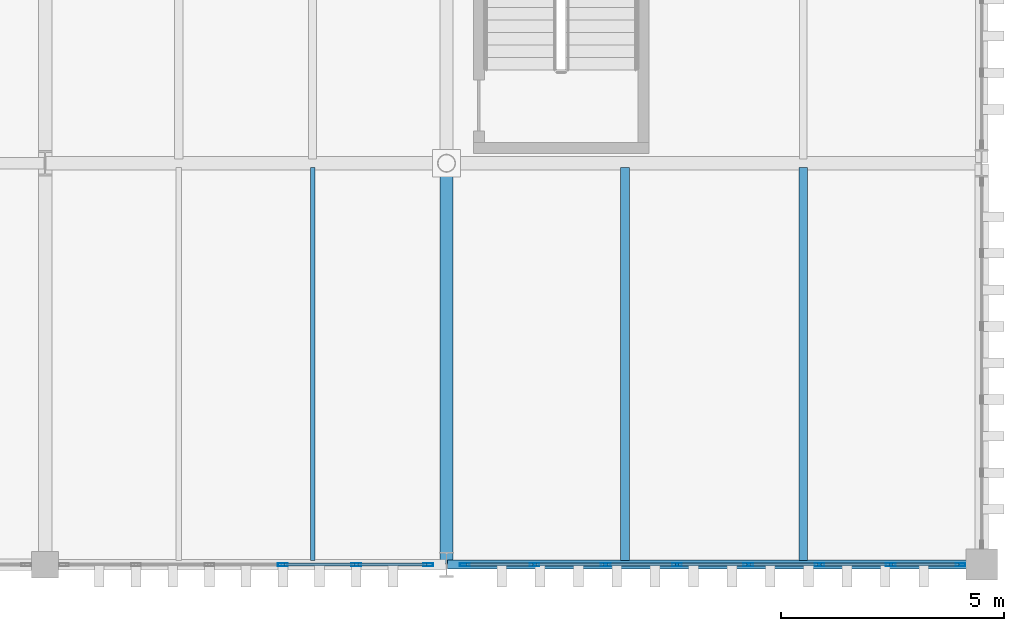
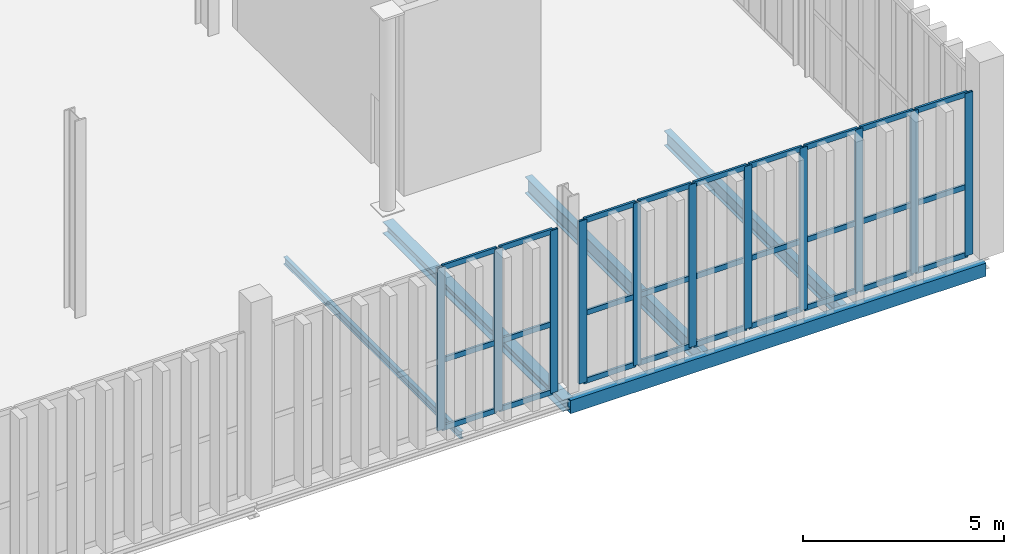
# One storey, part 91 of 211: 38 members, 5 beams, 2 elements without a shape of their own.
"""IFC4 building model written with IfcOpenShell, lengths in metres."""

from ifc_helpers import new_model, si_unit, direction, frame, origin, origin_2d, place, context, subcontext, project, spatial, hollow_rectangle, i_section, extrude, material, layer, layer_set, material_profile, profile_set, type_object, element, aggregate, save


model = new_model("IFC4")

# Units and contexts
model_context = context("Model", 3, precision=1e-05, world=origin(), true_north=direction((0.0, 1.0)))
body_context = subcontext(model_context, "Body", "Model", "MODEL_VIEW")
ifc_project = project(units=[si_unit("LENGTHUNIT", "METRE"), si_unit("AREAUNIT", "SQUARE_METRE"), si_unit("VOLUMEUNIT", "CUBIC_METRE"), si_unit("PLANEANGLEUNIT", "RADIAN"), si_unit("MASSUNIT", "GRAM", prefix="KILO")], contexts=[model_context])

# Site, building, storey
site_placement = place(None, origin())
site = spatial("IfcSite", under=ifc_project, at=site_placement, CompositionType="ELEMENT")
building_placement = place(site_placement, origin())
building = spatial("IfcBuilding", under=site, at=building_placement, Name="Barlavento Convention Centre", CompositionType="ELEMENT")
storey_placement = place(building_placement, frame((0.0, 0.0, 6.0)))
storey = spatial("IfcBuildingStorey", under=building, at=storey_placement, Name="L01", CompositionType="ELEMENT", Elevation=6.0)

# Curtain wall, members
ifc_material_1 = material(Name="Powder-coated aluminium and Low-E glass", Category="aluminium")
ifc_layer = layer(ifc_material_1, 0.18994140625)
ifc_layer_set = layer_set([ifc_layer], Name="ARC-CW-BALL-L01")
curtain_wall_type = type_object("IfcCurtainWallType", Name="ARC-CW-BALL-L01", PredefinedType="NOTDEFINED", material=ifc_layer_set)
curtain_wall_1_placement = place(storey_placement, origin())
curtain_wall_1 = element("IfcCurtainWall", 1, at=curtain_wall_1_placement, inside=storey, type_object=curtain_wall_type, Name="L01 unitised curtain wall CW06", PredefinedType="NOTDEFINED")
ifc_material_2 = material(Name="Powder-coated aluminium", Category="aluminium")
ifc_material_profile_1 = material_profile(ifc_material_2, hollow_rectangle(XDim=0.070068359375, YDim=0.219970703125, WallThickness=0.006103515625, at=origin_2d()), Name="AL-MULL 70x220x6")
ifc_profile_set_1 = profile_set([ifc_material_profile_1], Name="Powder-coated aluminium")
member_type_1 = type_object("IfcMemberType", Name="ARC-CWM-70X220", PredefinedType="MULLION", material=ifc_profile_set_1)
member_1_placement = place(storey_placement, frame((176.330322265625, 0.0, 0.0), z_axis=(0.0, 0.0, 1.0), x_axis=(0.0, 1.0, 0.0)))
member_1 = element("IfcMember", 2, at=member_1_placement, type_object=member_type_1, Name="CW06 mullion 4", PredefinedType="MULLION", context=body_context, shape_type="SweptSolid", body=[
    extrude(hollow_rectangle(XDim=0.070068359375, YDim=0.219970703125, WallThickness=0.006103515625, at=origin_2d()), origin(), (0.0, 0.0, 1.0), 4.949951171875),
])
member_2_placement = place(storey_placement, frame((177.977294921875, 0.0, 0.0), z_axis=(0.0, 0.0, 1.0), x_axis=(0.0, 1.0, 0.0)))
member_2 = element("IfcMember", 3, at=member_2_placement, type_object=member_type_1, Name="CW06 mullion 5", PredefinedType="MULLION", context=body_context, shape_type="SweptSolid", body=[
    extrude(hollow_rectangle(XDim=0.070068359375, YDim=0.219970703125, WallThickness=0.006103515625, at=origin_2d()), origin(), (0.0, 0.0, 1.0), 4.949951171875),
])
member_3_placement = place(storey_placement, frame((179.589111328125, 0.0, 0.0), z_axis=(0.0, 0.0, 1.0), x_axis=(0.0, 1.0, 0.0)))
member_3 = element("IfcMember", 4, at=member_3_placement, type_object=member_type_1, Name="CW06 mullion 6", PredefinedType="MULLION", context=body_context, shape_type="SweptSolid", body=[
    extrude(hollow_rectangle(XDim=0.070068359375, YDim=0.219970703125, WallThickness=0.006103515625, at=origin_2d()), origin(), (0.0, 0.0, 1.0), 4.949951171875),
])

curtain_wall_2_placement = place(storey_placement, origin())
curtain_wall_2 = element("IfcCurtainWall", 5, at=curtain_wall_2_placement, inside=storey, type_object=curtain_wall_type, Name="L01 unitised curtain wall CW06", PredefinedType="NOTDEFINED")
member_4_placement = place(storey_placement, frame((180.410888671875, 0.0, 0.0), z_axis=(0.0, 0.0, 1.0), x_axis=(0.0, 1.0, 0.0)))
member_4 = element("IfcMember", 6, at=member_4_placement, type_object=member_type_1, Name="CW06 mullion 1", PredefinedType="MULLION", context=body_context, shape_type="SweptSolid", body=[
    extrude(hollow_rectangle(XDim=0.070068359375, YDim=0.219970703125, WallThickness=0.006103515625, at=origin_2d()), origin(), (0.0, 0.0, 1.0), 4.949951171875),
])
member_5_placement = place(storey_placement, frame((181.9736328125, 0.0, 0.0), z_axis=(0.0, 0.0, 1.0), x_axis=(0.0, 1.0, 0.0)))
member_5 = element("IfcMember", 7, at=member_5_placement, type_object=member_type_1, Name="CW06 mullion 2", PredefinedType="MULLION", context=body_context, shape_type="SweptSolid", body=[
    extrude(hollow_rectangle(XDim=0.070068359375, YDim=0.219970703125, WallThickness=0.006103515625, at=origin_2d()), origin(), (0.0, 0.0, 1.0), 4.949951171875),
])
member_6_placement = place(storey_placement, frame((183.571533203125, 0.0, 0.0), z_axis=(0.0, 0.0, 1.0), x_axis=(0.0, 1.0, 0.0)))
member_6 = element("IfcMember", 8, at=member_6_placement, type_object=member_type_1, Name="CW06 mullion 3", PredefinedType="MULLION", context=body_context, shape_type="SweptSolid", body=[
    extrude(hollow_rectangle(XDim=0.070068359375, YDim=0.219970703125, WallThickness=0.006103515625, at=origin_2d()), origin(), (0.0, 0.0, 1.0), 4.949951171875),
])
member_7_placement = place(storey_placement, frame((185.169189453125, 0.0, 0.0), z_axis=(0.0, 0.0, 1.0), x_axis=(0.0, 1.0, 0.0)))
member_7 = element("IfcMember", 9, at=member_7_placement, type_object=member_type_1, Name="CW06 mullion 4", PredefinedType="MULLION", context=body_context, shape_type="SweptSolid", body=[
    extrude(hollow_rectangle(XDim=0.070068359375, YDim=0.219970703125, WallThickness=0.006103515625, at=origin_2d()), origin(), (0.0, 0.0, 1.0), 4.949951171875),
])
member_8_placement = place(storey_placement, frame((186.766845703125, 0.0, 0.0), z_axis=(0.0, 0.0, 1.0), x_axis=(0.0, 1.0, 0.0)))
member_8 = element("IfcMember", 10, at=member_8_placement, type_object=member_type_1, Name="CW06 mullion 5", PredefinedType="MULLION", context=body_context, shape_type="SweptSolid", body=[
    extrude(hollow_rectangle(XDim=0.070068359375, YDim=0.219970703125, WallThickness=0.006103515625, at=origin_2d()), origin(), (0.0, 0.0, 1.0), 4.949951171875),
])
member_9_placement = place(storey_placement, frame((188.364501953125, 0.0, 0.0), z_axis=(0.0, 0.0, 1.0), x_axis=(0.0, 1.0, 0.0)))
member_9 = element("IfcMember", 11, at=member_9_placement, type_object=member_type_1, Name="CW06 mullion 6", PredefinedType="MULLION", context=body_context, shape_type="SweptSolid", body=[
    extrude(hollow_rectangle(XDim=0.070068359375, YDim=0.219970703125, WallThickness=0.006103515625, at=origin_2d()), origin(), (0.0, 0.0, 1.0), 4.949951171875),
])
member_10_placement = place(storey_placement, frame((189.96240234375, 0.0, 0.0), z_axis=(0.0, 0.0, 1.0), x_axis=(0.0, 1.0, 0.0)))
member_10 = element("IfcMember", 12, at=member_10_placement, type_object=member_type_1, Name="CW06 mullion 7", PredefinedType="MULLION", context=body_context, shape_type="SweptSolid", body=[
    extrude(hollow_rectangle(XDim=0.070068359375, YDim=0.219970703125, WallThickness=0.006103515625, at=origin_2d()), origin(), (0.0, 0.0, 1.0), 4.949951171875),
])
member_11_placement = place(storey_placement, frame((191.52490234375, 0.0, 0.0), z_axis=(0.0, 0.0, 1.0), x_axis=(0.0, 1.0, 0.0)))
member_11 = element("IfcMember", 13, at=member_11_placement, type_object=member_type_1, Name="CW06 mullion 8", PredefinedType="MULLION", context=body_context, shape_type="SweptSolid", body=[
    extrude(hollow_rectangle(XDim=0.070068359375, YDim=0.219970703125, WallThickness=0.006103515625, at=origin_2d()), origin(), (0.0, 0.0, 1.0), 4.949951171875),
])

# Member
ifc_material_profile_2 = material_profile(ifc_material_2, hollow_rectangle(XDim=0.06494140625, YDim=0.159912109375, WallThickness=0.0048828125, at=origin_2d()), Name="AL-TRAN 65x160x5")
ifc_profile_set_2 = profile_set([ifc_material_profile_2], Name="Powder-coated aluminium")
member_type_2 = type_object("IfcMemberType", Name="ARC-CWT-65X160", PredefinedType="USERDEFINED", material=ifc_profile_set_2)
member_12_placement = place(storey_placement, frame((176.365478515625, 0.0, 0.032470703125), z_axis=(1.0, 0.0, 0.0), x_axis=(0.0, 1.0, 0.0)))
member_12 = element("IfcMember", 14, at=member_12_placement, type_object=member_type_2, Name="CW06 transom 4.1", ObjectType="TRANSOM", PredefinedType="USERDEFINED", context=body_context, shape_type="SweptSolid", body=[
    extrude(hollow_rectangle(XDim=0.06494140625, YDim=0.159912109375, WallThickness=0.0048828125, at=origin_2d()), origin(), (0.0, 0.0, 1.0), 1.57666015625),
])

member_13_placement = place(storey_placement, frame((176.365478515625, 0.0, 2.10009765625), z_axis=(1.0, 0.0, 0.0), x_axis=(0.0, 1.0, 0.0)))
member_13 = element("IfcMember", 15, at=member_13_placement, type_object=member_type_2, Name="CW06 transom 4.2", ObjectType="TRANSOM", PredefinedType="USERDEFINED", context=body_context, shape_type="SweptSolid", body=[
    extrude(hollow_rectangle(XDim=0.06494140625, YDim=0.159912109375, WallThickness=0.0048828125, at=origin_2d()), origin(), (0.0, 0.0, 1.0), 1.57666015625),
])

member_14_placement = place(storey_placement, frame((176.365478515625, 0.0, 4.91748046875), z_axis=(1.0, 0.0, 0.0), x_axis=(0.0, 1.0, 0.0)))
member_14 = element("IfcMember", 16, at=member_14_placement, type_object=member_type_2, Name="CW06 transom 4.3", ObjectType="TRANSOM", PredefinedType="USERDEFINED", context=body_context, shape_type="SweptSolid", body=[
    extrude(hollow_rectangle(XDim=0.06494140625, YDim=0.159912109375, WallThickness=0.0048828125, at=origin_2d()), origin(), (0.0, 0.0, 1.0), 1.57666015625),
])

member_15_placement = place(storey_placement, frame((178.01220703125, 0.0, 0.032470703125), z_axis=(1.0, 0.0, 0.0), x_axis=(0.0, 1.0, 0.0)))
member_15 = element("IfcMember", 17, at=member_15_placement, type_object=member_type_2, Name="CW06 transom 5.1", ObjectType="TRANSOM", PredefinedType="USERDEFINED", context=body_context, shape_type="SweptSolid", body=[
    extrude(hollow_rectangle(XDim=0.06494140625, YDim=0.159912109375, WallThickness=0.0048828125, at=origin_2d()), origin(), (0.0, 0.0, 1.0), 1.541748046875),
])

member_16_placement = place(storey_placement, frame((178.01220703125, 0.0, 2.10009765625), z_axis=(1.0, 0.0, 0.0), x_axis=(0.0, 1.0, 0.0)))
member_16 = element("IfcMember", 18, at=member_16_placement, type_object=member_type_2, Name="CW06 transom 5.2", ObjectType="TRANSOM", PredefinedType="USERDEFINED", context=body_context, shape_type="SweptSolid", body=[
    extrude(hollow_rectangle(XDim=0.06494140625, YDim=0.159912109375, WallThickness=0.0048828125, at=origin_2d()), origin(), (0.0, 0.0, 1.0), 1.541748046875),
])

member_17_placement = place(storey_placement, frame((178.01220703125, 0.0, 4.91748046875), z_axis=(1.0, 0.0, 0.0), x_axis=(0.0, 1.0, 0.0)))
member_17 = element("IfcMember", 19, at=member_17_placement, type_object=member_type_2, Name="CW06 transom 5.3", ObjectType="TRANSOM", PredefinedType="USERDEFINED", context=body_context, shape_type="SweptSolid", body=[
    extrude(hollow_rectangle(XDim=0.06494140625, YDim=0.159912109375, WallThickness=0.0048828125, at=origin_2d()), origin(), (0.0, 0.0, 1.0), 1.541748046875),
])

aggregate(curtain_wall_1, [member_1, member_2, member_3, member_12, member_13, member_14, member_15, member_16, member_17])

member_18_placement = place(storey_placement, frame((180.446044921875, 0.0, 0.032470703125), z_axis=(1.0, 0.0, 0.0), x_axis=(0.0, 1.0, 0.0)))
member_18 = element("IfcMember", 20, at=member_18_placement, type_object=member_type_2, Name="CW06 transom 1.1", ObjectType="TRANSOM", PredefinedType="USERDEFINED", context=body_context, shape_type="SweptSolid", body=[
    extrude(hollow_rectangle(XDim=0.06494140625, YDim=0.159912109375, WallThickness=0.0048828125, at=origin_2d()), origin(), (0.0, 0.0, 1.0), 1.49267578125),
])

member_19_placement = place(storey_placement, frame((180.446044921875, 0.0, 2.10009765625), z_axis=(1.0, 0.0, 0.0), x_axis=(0.0, 1.0, 0.0)))
member_19 = element("IfcMember", 21, at=member_19_placement, type_object=member_type_2, Name="CW06 transom 1.2", ObjectType="TRANSOM", PredefinedType="USERDEFINED", context=body_context, shape_type="SweptSolid", body=[
    extrude(hollow_rectangle(XDim=0.06494140625, YDim=0.159912109375, WallThickness=0.0048828125, at=origin_2d()), origin(), (0.0, 0.0, 1.0), 1.49267578125),
])

member_20_placement = place(storey_placement, frame((180.446044921875, 0.0, 4.91748046875), z_axis=(1.0, 0.0, 0.0), x_axis=(0.0, 1.0, 0.0)))
member_20 = element("IfcMember", 22, at=member_20_placement, type_object=member_type_2, Name="CW06 transom 1.3", ObjectType="TRANSOM", PredefinedType="USERDEFINED", context=body_context, shape_type="SweptSolid", body=[
    extrude(hollow_rectangle(XDim=0.06494140625, YDim=0.159912109375, WallThickness=0.0048828125, at=origin_2d()), origin(), (0.0, 0.0, 1.0), 1.49267578125),
])

member_21_placement = place(storey_placement, frame((182.0087890625, 0.0, 0.032470703125), z_axis=(1.0, 0.0, 0.0), x_axis=(0.0, 1.0, 0.0)))
member_21 = element("IfcMember", 23, at=member_21_placement, type_object=member_type_2, Name="CW06 transom 2.1", ObjectType="TRANSOM", PredefinedType="USERDEFINED", context=body_context, shape_type="SweptSolid", body=[
    extrude(hollow_rectangle(XDim=0.06494140625, YDim=0.159912109375, WallThickness=0.0048828125, at=origin_2d()), origin(), (0.0, 0.0, 1.0), 1.527587890625),
])

member_22_placement = place(storey_placement, frame((182.0087890625, 0.0, 2.10009765625), z_axis=(1.0, 0.0, 0.0), x_axis=(0.0, 1.0, 0.0)))
member_22 = element("IfcMember", 24, at=member_22_placement, type_object=member_type_2, Name="CW06 transom 2.2", ObjectType="TRANSOM", PredefinedType="USERDEFINED", context=body_context, shape_type="SweptSolid", body=[
    extrude(hollow_rectangle(XDim=0.06494140625, YDim=0.159912109375, WallThickness=0.0048828125, at=origin_2d()), origin(), (0.0, 0.0, 1.0), 1.527587890625),
])

member_23_placement = place(storey_placement, frame((182.0087890625, 0.0, 4.91748046875), z_axis=(1.0, 0.0, 0.0), x_axis=(0.0, 1.0, 0.0)))
member_23 = element("IfcMember", 25, at=member_23_placement, type_object=member_type_2, Name="CW06 transom 2.3", ObjectType="TRANSOM", PredefinedType="USERDEFINED", context=body_context, shape_type="SweptSolid", body=[
    extrude(hollow_rectangle(XDim=0.06494140625, YDim=0.159912109375, WallThickness=0.0048828125, at=origin_2d()), origin(), (0.0, 0.0, 1.0), 1.527587890625),
])

member_24_placement = place(storey_placement, frame((183.6064453125, 0.0, 0.032470703125), z_axis=(1.0, 0.0, 0.0), x_axis=(0.0, 1.0, 0.0)))
member_24 = element("IfcMember", 26, at=member_24_placement, type_object=member_type_2, Name="CW06 transom 3.1", ObjectType="TRANSOM", PredefinedType="USERDEFINED", context=body_context, shape_type="SweptSolid", body=[
    extrude(hollow_rectangle(XDim=0.06494140625, YDim=0.159912109375, WallThickness=0.0048828125, at=origin_2d()), origin(), (0.0, 0.0, 1.0), 1.527587890625),
])

member_25_placement = place(storey_placement, frame((183.6064453125, 0.0, 2.10009765625), z_axis=(1.0, 0.0, 0.0), x_axis=(0.0, 1.0, 0.0)))
member_25 = element("IfcMember", 27, at=member_25_placement, type_object=member_type_2, Name="CW06 transom 3.2", ObjectType="TRANSOM", PredefinedType="USERDEFINED", context=body_context, shape_type="SweptSolid", body=[
    extrude(hollow_rectangle(XDim=0.06494140625, YDim=0.159912109375, WallThickness=0.0048828125, at=origin_2d()), origin(), (0.0, 0.0, 1.0), 1.527587890625),
])

member_26_placement = place(storey_placement, frame((183.6064453125, 0.0, 4.91748046875), z_axis=(1.0, 0.0, 0.0), x_axis=(0.0, 1.0, 0.0)))
member_26 = element("IfcMember", 28, at=member_26_placement, type_object=member_type_2, Name="CW06 transom 3.3", ObjectType="TRANSOM", PredefinedType="USERDEFINED", context=body_context, shape_type="SweptSolid", body=[
    extrude(hollow_rectangle(XDim=0.06494140625, YDim=0.159912109375, WallThickness=0.0048828125, at=origin_2d()), origin(), (0.0, 0.0, 1.0), 1.527587890625),
])

member_27_placement = place(storey_placement, frame((185.2041015625, 0.0, 0.032470703125), z_axis=(1.0, 0.0, 0.0), x_axis=(0.0, 1.0, 0.0)))
member_27 = element("IfcMember", 29, at=member_27_placement, type_object=member_type_2, Name="CW06 transom 4.1", ObjectType="TRANSOM", PredefinedType="USERDEFINED", context=body_context, shape_type="SweptSolid", body=[
    extrude(hollow_rectangle(XDim=0.06494140625, YDim=0.159912109375, WallThickness=0.0048828125, at=origin_2d()), origin(), (0.0, 0.0, 1.0), 1.52783203125),
])

member_28_placement = place(storey_placement, frame((185.2041015625, 0.0, 2.10009765625), z_axis=(1.0, 0.0, 0.0), x_axis=(0.0, 1.0, 0.0)))
member_28 = element("IfcMember", 30, at=member_28_placement, type_object=member_type_2, Name="CW06 transom 4.2", ObjectType="TRANSOM", PredefinedType="USERDEFINED", context=body_context, shape_type="SweptSolid", body=[
    extrude(hollow_rectangle(XDim=0.06494140625, YDim=0.159912109375, WallThickness=0.0048828125, at=origin_2d()), origin(), (0.0, 0.0, 1.0), 1.52783203125),
])

member_29_placement = place(storey_placement, frame((185.2041015625, 0.0, 4.91748046875), z_axis=(1.0, 0.0, 0.0), x_axis=(0.0, 1.0, 0.0)))
member_29 = element("IfcMember", 31, at=member_29_placement, type_object=member_type_2, Name="CW06 transom 4.3", ObjectType="TRANSOM", PredefinedType="USERDEFINED", context=body_context, shape_type="SweptSolid", body=[
    extrude(hollow_rectangle(XDim=0.06494140625, YDim=0.159912109375, WallThickness=0.0048828125, at=origin_2d()), origin(), (0.0, 0.0, 1.0), 1.52783203125),
])

member_30_placement = place(storey_placement, frame((186.8017578125, 0.0, 0.032470703125), z_axis=(1.0, 0.0, 0.0), x_axis=(0.0, 1.0, 0.0)))
member_30 = element("IfcMember", 32, at=member_30_placement, type_object=member_type_2, Name="CW06 transom 5.1", ObjectType="TRANSOM", PredefinedType="USERDEFINED", context=body_context, shape_type="SweptSolid", body=[
    extrude(hollow_rectangle(XDim=0.06494140625, YDim=0.159912109375, WallThickness=0.0048828125, at=origin_2d()), origin(), (0.0, 0.0, 1.0), 1.52783203125),
])

member_31_placement = place(storey_placement, frame((186.8017578125, 0.0, 2.10009765625), z_axis=(1.0, 0.0, 0.0), x_axis=(0.0, 1.0, 0.0)))
member_31 = element("IfcMember", 33, at=member_31_placement, type_object=member_type_2, Name="CW06 transom 5.2", ObjectType="TRANSOM", PredefinedType="USERDEFINED", context=body_context, shape_type="SweptSolid", body=[
    extrude(hollow_rectangle(XDim=0.06494140625, YDim=0.159912109375, WallThickness=0.0048828125, at=origin_2d()), origin(), (0.0, 0.0, 1.0), 1.52783203125),
])

member_32_placement = place(storey_placement, frame((186.8017578125, 0.0, 4.91748046875), z_axis=(1.0, 0.0, 0.0), x_axis=(0.0, 1.0, 0.0)))
member_32 = element("IfcMember", 34, at=member_32_placement, type_object=member_type_2, Name="CW06 transom 5.3", ObjectType="TRANSOM", PredefinedType="USERDEFINED", context=body_context, shape_type="SweptSolid", body=[
    extrude(hollow_rectangle(XDim=0.06494140625, YDim=0.159912109375, WallThickness=0.0048828125, at=origin_2d()), origin(), (0.0, 0.0, 1.0), 1.52783203125),
])

member_33_placement = place(storey_placement, frame((188.399658203125, 0.0, 0.032470703125), z_axis=(1.0, 0.0, 0.0), x_axis=(0.0, 1.0, 0.0)))
member_33 = element("IfcMember", 35, at=member_33_placement, type_object=member_type_2, Name="CW06 transom 6.1", ObjectType="TRANSOM", PredefinedType="USERDEFINED", context=body_context, shape_type="SweptSolid", body=[
    extrude(hollow_rectangle(XDim=0.06494140625, YDim=0.159912109375, WallThickness=0.0048828125, at=origin_2d()), origin(), (0.0, 0.0, 1.0), 1.527587890625),
])

member_34_placement = place(storey_placement, frame((188.399658203125, 0.0, 2.10009765625), z_axis=(1.0, 0.0, 0.0), x_axis=(0.0, 1.0, 0.0)))
member_34 = element("IfcMember", 36, at=member_34_placement, type_object=member_type_2, Name="CW06 transom 6.2", ObjectType="TRANSOM", PredefinedType="USERDEFINED", context=body_context, shape_type="SweptSolid", body=[
    extrude(hollow_rectangle(XDim=0.06494140625, YDim=0.159912109375, WallThickness=0.0048828125, at=origin_2d()), origin(), (0.0, 0.0, 1.0), 1.527587890625),
])

member_35_placement = place(storey_placement, frame((188.399658203125, 0.0, 4.91748046875), z_axis=(1.0, 0.0, 0.0), x_axis=(0.0, 1.0, 0.0)))
member_35 = element("IfcMember", 37, at=member_35_placement, type_object=member_type_2, Name="CW06 transom 6.3", ObjectType="TRANSOM", PredefinedType="USERDEFINED", context=body_context, shape_type="SweptSolid", body=[
    extrude(hollow_rectangle(XDim=0.06494140625, YDim=0.159912109375, WallThickness=0.0048828125, at=origin_2d()), origin(), (0.0, 0.0, 1.0), 1.527587890625),
])

member_36_placement = place(storey_placement, frame((189.997314453125, 0.0, 0.032470703125), z_axis=(1.0, 0.0, 0.0), x_axis=(0.0, 1.0, 0.0)))
member_36 = element("IfcMember", 38, at=member_36_placement, type_object=member_type_2, Name="CW06 transom 7.1", ObjectType="TRANSOM", PredefinedType="USERDEFINED", context=body_context, shape_type="SweptSolid", body=[
    extrude(hollow_rectangle(XDim=0.06494140625, YDim=0.159912109375, WallThickness=0.0048828125, at=origin_2d()), origin(), (0.0, 0.0, 1.0), 1.49267578125),
])

member_37_placement = place(storey_placement, frame((189.997314453125, 0.0, 2.10009765625), z_axis=(1.0, 0.0, 0.0), x_axis=(0.0, 1.0, 0.0)))
member_37 = element("IfcMember", 39, at=member_37_placement, type_object=member_type_2, Name="CW06 transom 7.2", ObjectType="TRANSOM", PredefinedType="USERDEFINED", context=body_context, shape_type="SweptSolid", body=[
    extrude(hollow_rectangle(XDim=0.06494140625, YDim=0.159912109375, WallThickness=0.0048828125, at=origin_2d()), origin(), (0.0, 0.0, 1.0), 1.49267578125),
])

member_38_placement = place(storey_placement, frame((189.997314453125, 0.0, 4.91748046875), z_axis=(1.0, 0.0, 0.0), x_axis=(0.0, 1.0, 0.0)))
member_38 = element("IfcMember", 40, at=member_38_placement, type_object=member_type_2, Name="CW06 transom 7.3", ObjectType="TRANSOM", PredefinedType="USERDEFINED", context=body_context, shape_type="SweptSolid", body=[
    extrude(hollow_rectangle(XDim=0.06494140625, YDim=0.159912109375, WallThickness=0.0048828125, at=origin_2d()), origin(), (0.0, 0.0, 1.0), 1.49267578125),
])

aggregate(curtain_wall_2, [member_4, member_5, member_6, member_7, member_8, member_9, member_10, member_11, member_18, member_19, member_20, member_21, member_22, member_23, member_24, member_25, member_26, member_27, member_28, member_29, member_30, member_31, member_32, member_33, member_34, member_35, member_36, member_37, member_38])

# Beams
ifc_material_3 = material(Name="Steel S355", Category="steel")
ifc_material_profile_3 = material_profile(ifc_material_3, i_section(OverallWidth=0.110107421875, OverallDepth=0.219970703125, WebThickness=0.005859375, FlangeThickness=0.00927734375, FilletRadius=0.011962890625, at=origin_2d()), Name="IPE 220")
ifc_profile_set_3 = profile_set([ifc_material_profile_3], Name="Steel S355")
beam_type_1 = type_object("IfcBeamType", Name="STR-BM-JST-IPE220", PredefinedType="JOIST", material=ifc_profile_set_3)
beam_1_placement = place(storey_placement, frame((177.0, 0.094970703125, -0.469970703125), z_axis=(0.0, 1.0, 0.0), x_axis=(-1.0, 0.0, 0.0)))
element("IfcBeam", 41, at=beam_1_placement, inside=storey, type_object=beam_type_1, Name="L01 composite floor joist SJ10", PredefinedType="JOIST", context=body_context, shape_type="SweptSolid", body=[
    extrude(i_section(OverallWidth=0.110107421875, OverallDepth=0.219970703125, WebThickness=0.005859375, FlangeThickness=0.00927734375, FilletRadius=0.011962890625, at=origin_2d()), origin(), (0.0, 0.0, 1.0), 8.81005859375),
])
ifc_material_profile_4 = material_profile(ifc_material_3, i_section(OverallWidth=0.18994140625, OverallDepth=0.449951171875, WebThickness=0.009521484375, FlangeThickness=0.0146484375, FilletRadius=0.02099609375, at=origin_2d()), Name="IPE 450")
ifc_profile_set_4 = profile_set([ifc_material_profile_4], Name="Steel S355")
beam_type_2 = type_object("IfcBeamType", Name="STR-BM-JST-IPE450", PredefinedType="JOIST", material=ifc_profile_set_4)
beam_2_placement = place(storey_placement, frame((188.0, 0.094970703125, -0.5849609375), z_axis=(0.0, 1.0, 0.0), x_axis=(-1.0, 0.0, 0.0)))
element("IfcBeam", 42, at=beam_2_placement, inside=storey, type_object=beam_type_2, Name="L01 composite floor joist SJ03", PredefinedType="JOIST", context=body_context, shape_type="SweptSolid", body=[
    extrude(i_section(OverallWidth=0.18994140625, OverallDepth=0.449951171875, WebThickness=0.009521484375, FlangeThickness=0.0146484375, FilletRadius=0.02099609375, at=origin_2d()), origin(), (0.0, 0.0, 1.0), 8.81005859375),
])
ifc_material_profile_5 = material_profile(ifc_material_3, i_section(OverallWidth=0.199951171875, OverallDepth=0.5, WebThickness=0.01025390625, FlangeThickness=0.01611328125, FilletRadius=0.02099609375, at=origin_2d()), Name="IPE 500")
ifc_profile_set_5 = profile_set([ifc_material_profile_5], Name="Steel S355")
beam_type_3 = type_object("IfcBeamType", Name="STR-BM-JST-IPE500", PredefinedType="JOIST", material=ifc_profile_set_5)
beam_3_placement = place(storey_placement, frame((184.0, 0.094970703125, -0.610107421875), z_axis=(0.0, 1.0, 0.0), x_axis=(-1.0, 0.0, 0.0)))
element("IfcBeam", 43, at=beam_3_placement, inside=storey, type_object=beam_type_3, Name="L01 composite floor joist SJ02", PredefinedType="JOIST", context=body_context, shape_type="SweptSolid", body=[
    extrude(i_section(OverallWidth=0.199951171875, OverallDepth=0.5, WebThickness=0.01025390625, FlangeThickness=0.01611328125, FilletRadius=0.02099609375, at=origin_2d()), origin(), (0.0, 0.0, 1.0), 8.81005859375),
])
ifc_material_profile_6 = material_profile(ifc_material_3, i_section(OverallWidth=0.300048828125, OverallDepth=0.35009765625, WebThickness=0.010009765625, FlangeThickness=0.017578125, FilletRadius=0.027099609375, at=origin_2d()), Name="HEA 360")
ifc_profile_set_6 = profile_set([ifc_material_profile_6], Name="Steel S355")
beam_type_4 = type_object("IfcBeamType", Name="STR-BM-PRI-HEA360", PredefinedType="BEAM", material=ifc_profile_set_6)
beam_4_placement = place(storey_placement, frame((180.0, 0.02001953125, -0.534912109375), z_axis=(0.0, 1.0, 0.0), x_axis=(-1.0, 0.0, 0.0)))
element("IfcBeam", 44, at=beam_4_placement, inside=storey, type_object=beam_type_4, Name="L01 grid girder BG23", PredefinedType="BEAM", context=body_context, shape_type="SweptSolid", body=[
    extrude(i_section(OverallWidth=0.300048828125, OverallDepth=0.35009765625, WebThickness=0.010009765625, FlangeThickness=0.017578125, FilletRadius=0.027099609375, at=origin_2d()), origin(), (0.0, 0.0, 1.0), 8.9599609375),
])
ifc_material_profile_7 = material_profile(ifc_material_3, hollow_rectangle(XDim=0.199951171875, YDim=0.39990234375, WallThickness=0.01611328125, at=origin_2d()), Name="RHS 400x200x16.0")
ifc_profile_set_7 = profile_set([ifc_material_profile_7], Name="Steel S355")
beam_type_5 = type_object("IfcBeamType", Name="STR-BM-SPN-RHS400", PredefinedType="SPANDREL", material=ifc_profile_set_7)
beam_5_placement = place(storey_placement, frame((180.02001953125, 0.0, -0.56005859375), z_axis=(1.0, 0.0, 0.0), x_axis=(0.0, 1.0, 0.0)))
element("IfcBeam", 45, at=beam_5_placement, inside=storey, type_object=beam_type_5, Name="L01 primary girder SP06", PredefinedType="SPANDREL", context=body_context, shape_type="SweptSolid", body=[
    extrude(hollow_rectangle(XDim=0.199951171875, YDim=0.39990234375, WallThickness=0.01611328125, at=origin_2d()), origin(), (0.0, 0.0, 1.0), 11.9599609375),
])

save(model, "model.ifc")
